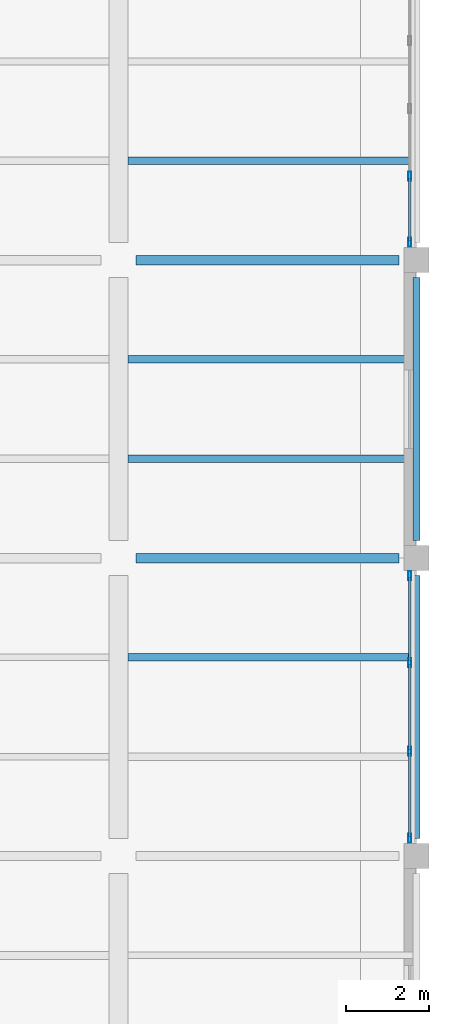
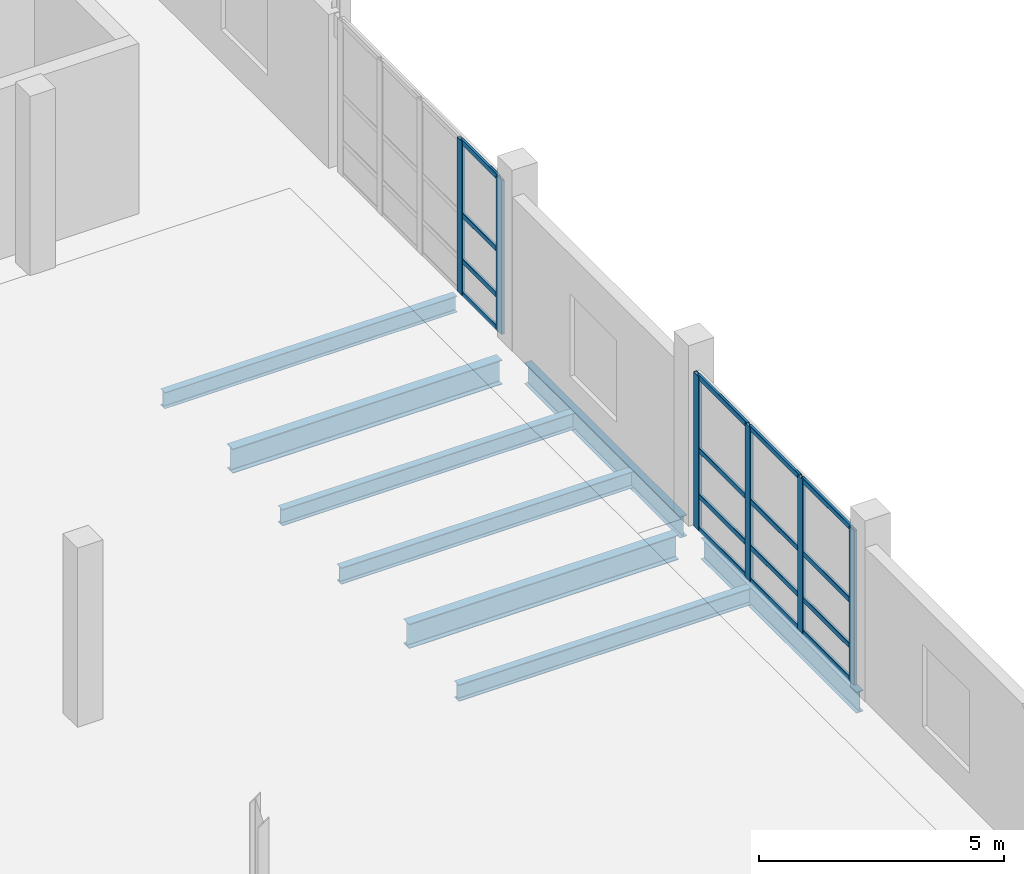
# One storey, part 67 of 123: 22 members, 8 beams, 2 elements without a shape of their own.
"""IFC4 building model written with IfcOpenShell, lengths in metres."""

import ifcopenshell
import ifcopenshell.guid

model = None  # the IFC model being written
_history = None  # IfcOwnerHistory: only IFC2X3 demands one
_inside = {}  # id of a spatial element -> (the spatial element, [elements in it])
_under = {}  # id of a project, library or spatial element -> (it, [spatial elements below it])
_declared = {}  # id of a project -> (the project, [libraries it declares])
_typed = {}  # id of a type object -> (the type object, [elements of that type])
_made_of = {}  # id of a material, layer set ... -> (it, [elements and type objects made of it])


def new_model(schema):
    """Start an empty IFC model of exactly this schema.

    Asked for "IFC4X3", IfcOpenShell would pick the latest addendum, in which some entities
    have other attributes; the version numbers below select the first issue.
    IFC2X3 requires an IfcOwnerHistory on every rooted entity: one is made here for all.
    """
    global model, _history
    if schema == "IFC4X3":
        model = ifcopenshell.file(schema_version=(4, 3, 0, 0))
    else:
        model = ifcopenshell.file(schema=schema)
    _inside.clear()
    _under.clear()
    _declared.clear()
    _typed.clear()
    _made_of.clear()
    _history = None
    if model.schema == "IFC2X3":
        org = make("IfcOrganization", Name="unknown")
        user = make(
            "IfcPersonAndOrganization",
            ThePerson=make("IfcPerson", FamilyName="unknown"),
            TheOrganization=org,
        )
        app = make(
            "IfcApplication",
            ApplicationDeveloper=org,
            Version="unknown",
            ApplicationFullName="unknown",
            ApplicationIdentifier="unknown",
        )
        _history = make(
            "IfcOwnerHistory",
            OwningUser=user,
            OwningApplication=app,
            ChangeAction="ADDED",
            CreationDate=0,
        )
    return model


def make(cls, **values):
    """One entity of the class cls with the attributes given. An attribute that is None is left unset."""
    return model.create_entity(
        cls, **{name: value for name, value in values.items() if value is not None}
    )


def rooted(cls, **values):
    """An entity with a GlobalId (a new one), such as an element, a storey or a relation."""
    return make(cls, GlobalId=ifcopenshell.guid.new(), OwnerHistory=_history, **values)


def si_unit(unit_type, name, prefix=None):
    """IfcSIUnit, for example si_unit("LENGTHUNIT", "METRE", prefix="MILLI")."""
    return make("IfcSIUnit", UnitType=unit_type, Prefix=prefix, Name=name)


def assignment(units):
    """IfcUnitAssignment: the units of a project."""
    return None if units is None else make("IfcUnitAssignment", Units=units)


def point(xyz):
    """IfcCartesianPoint."""
    return None if xyz is None else make("IfcCartesianPoint", Coordinates=xyz)


def direction(xyz):
    """IfcDirection."""
    return None if xyz is None else make("IfcDirection", DirectionRatios=xyz)


def frame(location, z_axis=None, x_axis=None):
    """IfcAxis2Placement3D, a coordinate frame: its origin and axes. An axis left out is left unset."""
    return make(
        "IfcAxis2Placement3D",
        Location=point(location),
        Axis=direction(z_axis),
        RefDirection=direction(x_axis),
    )


def frame_2d(location, x_axis=None):
    """IfcAxis2Placement2D, a coordinate frame in the plane: its origin and x axis."""
    return make(
        "IfcAxis2Placement2D", Location=point(location), RefDirection=direction(x_axis)
    )


def origin():
    """The frame at (0, 0, 0) with its axes left unset."""
    return frame((0.0, 0.0, 0.0))


def origin_2d():
    """The frame at (0, 0) in the plane with its x axis left unset."""
    return frame_2d((0.0, 0.0))


def place(relative_to, where):
    """IfcLocalPlacement: puts the frame where relative to a parent placement (None: the world)."""
    return make(
        "IfcLocalPlacement", PlacementRelTo=relative_to, RelativePlacement=where
    )


def context(
    kind, dimensions, precision=None, world=None, true_north=None, identifier=None
):
    """IfcGeometricRepresentationContext, for example the 3D "Model" context."""
    return make(
        "IfcGeometricRepresentationContext",
        ContextIdentifier=identifier,
        ContextType=kind,
        CoordinateSpaceDimension=dimensions,
        Precision=precision,
        WorldCoordinateSystem=world,
        TrueNorth=true_north,
    )


def subcontext(parent, identifier, kind, view, scale=None):
    """IfcGeometricRepresentationSubContext, for example "Body" below "Model"."""
    return make(
        "IfcGeometricRepresentationSubContext",
        ContextIdentifier=identifier,
        ContextType=kind,
        ParentContext=parent,
        TargetScale=scale,
        TargetView=view,
    )


def project(units=None, contexts=None):
    """IfcProject with its units and contexts."""
    return rooted(
        "IfcProject",
        Name="project",
        RepresentationContexts=contexts,
        UnitsInContext=assignment(units),
    )


def spatial(cls, under=None, at=None, **own):
    """A site, building, storey or space (cls), placed at a placement, below another one or the project."""
    s = rooted(cls, ObjectPlacement=at, **own)
    if under is not None:
        _under.setdefault(under.id(), (under, []))[1].append(s)
    return s


def profile(cls, at=None, kind="AREA", **sizes):
    """A parametric profile (cls). Its sizes go by their IFC names, for example OverallWidth=200.0."""
    return make(cls, ProfileType=kind, Position=at, **sizes)


def hollow_rectangle(**sizes):
    """IfcRectangleHollowProfileDef."""
    return profile("IfcRectangleHollowProfileDef", **sizes)


def i_section(**sizes):
    """IfcIShapeProfileDef."""
    return profile("IfcIShapeProfileDef", **sizes)


def extrude(swept, where, along, depth):
    """IfcExtrudedAreaSolid: the profile swept, set in the frame where, extruded along a direction by depth."""
    return make(
        "IfcExtrudedAreaSolid",
        SweptArea=swept,
        Position=where,
        ExtrudedDirection=direction(along),
        Depth=depth,
    )


def shape(context_of_items, identifier, shape_type, items):
    """IfcShapeRepresentation: the items that make up one representation, for example the "Body"."""
    return make(
        "IfcShapeRepresentation",
        ContextOfItems=context_of_items,
        RepresentationIdentifier=identifier,
        RepresentationType=shape_type,
        Items=items,
    )


def material(Name=None, Category=None):
    """IfcMaterial."""
    return make("IfcMaterial", Name=Name, Category=Category)


def material_profile(
    of_material, cross_section, Name=None, Category=None, Priority=None
):
    """IfcMaterialProfile: a cross section and its material."""
    return make(
        "IfcMaterialProfile",
        Name=Name,
        Material=of_material,
        Profile=cross_section,
        Priority=Priority,
        Category=Category,
    )


def profile_set(profiles, Name=None, composite=None):
    """IfcMaterialProfileSet."""
    return make(
        "IfcMaterialProfileSet",
        Name=Name,
        MaterialProfiles=profiles,
        CompositeProfile=composite,
    )


def made_of(thing, what):
    """Note that an element or type object is made of a material, layer set ...; save() writes the relation."""
    if what is not None:
        _made_of.setdefault(what.id(), (what, []))[1].append(thing)
    return thing


def type_object(cls, material=None, **own):
    """A type object (cls), such as IfcWallType, which elements share."""
    return made_of(rooted(cls, **own), material)


def element(
    cls,
    number,
    at=None,
    inside=None,
    cuts=None,
    type_object=None,
    material=None,
    context=None,
    identifier="Body",
    shape_type=None,
    held_by="IfcProductDefinitionShape",
    body=None,
    shapes=None,
    **own,
):
    """One element of the class cls, such as IfcWall. Its Tag is "e" and its number.

    at: its placement. inside: the storey or other place that contains it. cuts: it is an
    opening in that element (IfcRelVoidsElement). A single representation is given by context,
    identifier, shape_type and body (its items); several are given by shapes. held_by: the class
    of the entity that holds the representations. save() writes the other relations.
    """
    e = rooted(cls, Tag="e%d" % number, ObjectPlacement=at, **own)
    if body is not None:
        shapes = [shape(context, identifier, shape_type, body)]
    if shapes is not None:
        e.Representation = make(held_by, Representations=shapes)
    if inside is not None:
        _inside.setdefault(inside.id(), (inside, []))[1].append(e)
    if cuts is not None:
        rooted(
            "IfcRelVoidsElement", RelatingBuildingElement=cuts, RelatedOpeningElement=e
        )
    if type_object is not None:
        _typed.setdefault(type_object.id(), (type_object, []))[1].append(e)
    return made_of(e, material)


def aggregate(whole, parts):
    """IfcRelAggregates: a whole, such as a stair, and the parts it consists of."""
    return rooted("IfcRelAggregates", RelatingObject=whole, RelatedObjects=parts)


def save(model, path):
    """Write the relations noted so far, then the file.

    IfcRelAggregates (storeys below a building ...), IfcRelContainedInSpatialStructure (elements
    in a storey), IfcRelDefinesByType, IfcRelAssociatesMaterial and IfcRelDeclares: one each for
    every whole, place, type object, material and project.
    """
    for whole, parts in _under.values():
        aggregate(whole, parts)
    for where, things in _inside.values():
        rooted(
            "IfcRelContainedInSpatialStructure",
            RelatedElements=things,
            RelatingStructure=where,
        )
    for kind, things in _typed.values():
        rooted("IfcRelDefinesByType", RelatedObjects=things, RelatingType=kind)
    for what, things in _made_of.values():
        rooted("IfcRelAssociatesMaterial", RelatedObjects=things, RelatingMaterial=what)
    for by, libraries in _declared.values():
        rooted("IfcRelDeclares", RelatingContext=by, RelatedDefinitions=libraries)
    model.write(path)


model = new_model("IFC4")

# Units and contexts
model_context = context("Model", 3, precision=1e-05, world=origin(), true_north=direction((0.0, 1.0)))
body_context = subcontext(model_context, "Body", "Model", "MODEL_VIEW")
ifc_project = project(units=[si_unit("LENGTHUNIT", "METRE"), si_unit("AREAUNIT", "SQUARE_METRE"), si_unit("VOLUMEUNIT", "CUBIC_METRE"), si_unit("PLANEANGLEUNIT", "RADIAN"), si_unit("MASSUNIT", "GRAM", prefix="KILO")], contexts=[model_context])

# Site, building, storey
site_placement = place(None, origin())
site = spatial("IfcSite", under=ifc_project, at=site_placement, CompositionType="ELEMENT")
building_placement = place(site_placement, origin())
building = spatial("IfcBuilding", under=site, at=building_placement, Name="Kalmorath City Hall", CompositionType="ELEMENT")
storey_placement = place(building_placement, frame((0.0, 0.0, 10.199951171875)))
storey = spatial("IfcBuildingStorey", under=building, at=storey_placement, Name="L02", CompositionType="ELEMENT", Elevation=10.199951171875)

# Curtain wall, members
ifc_material_1 = material(Name="Anodised aluminium and laminated glass", Category="aluminium")
curtain_wall_type_1 = type_object("IfcCurtainWallType", Name="Unitised hurricane curtain wall 6544x3835 M1850", PredefinedType="NOTDEFINED", material=ifc_material_1)
curtain_wall_1_placement = place(storey_placement, origin())
curtain_wall_1 = element("IfcCurtainWall", 1, at=curtain_wall_1_placement, inside=storey, type_object=curtain_wall_type_1, Name="L02 curtain wall CW-65X38M18 #118", PredefinedType="NOTDEFINED")
ifc_material_2 = material(Name="Anodised aluminium framing", Category="aluminium")
ifc_material_profile_1 = material_profile(ifc_material_2, hollow_rectangle(XDim=0.06005859375, YDim=0.1298828125, WallThickness=0.00341796875, InnerFilletRadius=0.00341796875, OuterFilletRadius=0.007080078125, at=origin_2d()), Name="ALU-TRN-130X60X3.5")
ifc_profile_set_1 = profile_set([ifc_material_profile_1], Name="Anodised aluminium framing")
member_type_1 = type_object("IfcMemberType", Name="Curtain-wall courtyard transom 130x60", PredefinedType="USERDEFINED", material=ifc_profile_set_1)
member_1_placement = place(storey_placement, frame((165.43994140625, 81.1884765625, 0.030029296875), z_axis=(0.0, -1.0, 0.0), x_axis=(1.0, 0.0, 0.0)))
member_1 = element("IfcMember", 2, at=member_1_placement, type_object=member_type_1, Name="CW-65X38M18 transom 4.1", ObjectType="TRANSOM", PredefinedType="USERDEFINED", context=body_context, shape_type="SweptSolid", body=[
    extrude(hollow_rectangle(XDim=0.06005859375, YDim=0.1298828125, WallThickness=0.00341796875, InnerFilletRadius=0.00341796875, OuterFilletRadius=0.007080078125, at=origin_2d()), origin(), (0.0, 0.0, 1.0), 1.5234375),
])
member_2_placement = place(storey_placement, frame((165.43994140625, 81.1884765625, 0.85009765625), z_axis=(0.0, -1.0, 0.0), x_axis=(1.0, 0.0, 0.0)))
member_2 = element("IfcMember", 3, at=member_2_placement, type_object=member_type_1, Name="CW-65X38M18 transom 4.2", ObjectType="TRANSOM", PredefinedType="USERDEFINED", context=body_context, shape_type="SweptSolid", body=[
    extrude(hollow_rectangle(XDim=0.06005859375, YDim=0.1298828125, WallThickness=0.00341796875, InnerFilletRadius=0.00341796875, OuterFilletRadius=0.007080078125, at=origin_2d()), origin(), (0.0, 0.0, 1.0), 1.5234375),
])
member_3_placement = place(storey_placement, frame((165.43994140625, 81.1884765625, 1.994140625), z_axis=(0.0, -1.0, 0.0), x_axis=(1.0, 0.0, 0.0)))
member_3 = element("IfcMember", 4, at=member_3_placement, type_object=member_type_1, Name="CW-65X38M18 transom 4.3", ObjectType="TRANSOM", PredefinedType="USERDEFINED", context=body_context, shape_type="SweptSolid", body=[
    extrude(hollow_rectangle(XDim=0.06005859375, YDim=0.1298828125, WallThickness=0.00341796875, InnerFilletRadius=0.00341796875, OuterFilletRadius=0.007080078125, at=origin_2d()), origin(), (0.0, 0.0, 1.0), 1.5234375),
])
member_4_placement = place(storey_placement, frame((165.43994140625, 81.1884765625, 3.804931640625), z_axis=(0.0, -1.0, 0.0), x_axis=(1.0, 0.0, 0.0)))
member_4 = element("IfcMember", 5, at=member_4_placement, type_object=member_type_1, Name="CW-65X38M18 transom 4.4", ObjectType="TRANSOM", PredefinedType="USERDEFINED", context=body_context, shape_type="SweptSolid", body=[
    extrude(hollow_rectangle(XDim=0.06005859375, YDim=0.1298828125, WallThickness=0.00341796875, InnerFilletRadius=0.00341796875, OuterFilletRadius=0.007080078125, at=origin_2d()), origin(), (0.0, 0.0, 1.0), 1.5234375),
])

ifc_material_3 = material(Name="Anodised aluminium and laminated glass", Category="aluminium")
curtain_wall_type_2 = type_object("IfcCurtainWallType", Name="Unitised hurricane curtain wall 6420x3835 M1850", PredefinedType="NOTDEFINED", material=ifc_material_3)
curtain_wall_2_placement = place(storey_placement, origin())
curtain_wall_2 = element("IfcCurtainWall", 6, at=curtain_wall_2_placement, inside=storey, type_object=curtain_wall_type_2, Name="L02 curtain wall CW-64X38M18 #119", PredefinedType="NOTDEFINED")
member_5_placement = place(storey_placement, frame((165.43994140625, 71.534912109375, 0.030029296875), z_axis=(0.0, -1.0, 0.0), x_axis=(1.0, 0.0, 0.0)))
member_5 = element("IfcMember", 7, at=member_5_placement, type_object=member_type_1, Name="CW-64X38M18 transom 1.1", ObjectType="TRANSOM", PredefinedType="USERDEFINED", context=body_context, shape_type="SweptSolid", body=[
    extrude(hollow_rectangle(XDim=0.06005859375, YDim=0.1298828125, WallThickness=0.00341796875, InnerFilletRadius=0.00341796875, OuterFilletRadius=0.007080078125, at=origin_2d()), origin(), (0.0, 0.0, 1.0), 2.02734375),
])
member_6_placement = place(storey_placement, frame((165.43994140625, 71.534912109375, 0.85009765625), z_axis=(0.0, -1.0, 0.0), x_axis=(1.0, 0.0, 0.0)))
member_6 = element("IfcMember", 8, at=member_6_placement, type_object=member_type_1, Name="CW-64X38M18 transom 1.2", ObjectType="TRANSOM", PredefinedType="USERDEFINED", context=body_context, shape_type="SweptSolid", body=[
    extrude(hollow_rectangle(XDim=0.06005859375, YDim=0.1298828125, WallThickness=0.00341796875, InnerFilletRadius=0.00341796875, OuterFilletRadius=0.007080078125, at=origin_2d()), origin(), (0.0, 0.0, 1.0), 2.02734375),
])
member_7_placement = place(storey_placement, frame((165.43994140625, 71.534912109375, 1.994140625), z_axis=(0.0, -1.0, 0.0), x_axis=(1.0, 0.0, 0.0)))
member_7 = element("IfcMember", 9, at=member_7_placement, type_object=member_type_1, Name="CW-64X38M18 transom 1.3", ObjectType="TRANSOM", PredefinedType="USERDEFINED", context=body_context, shape_type="SweptSolid", body=[
    extrude(hollow_rectangle(XDim=0.06005859375, YDim=0.1298828125, WallThickness=0.00341796875, InnerFilletRadius=0.00341796875, OuterFilletRadius=0.007080078125, at=origin_2d()), origin(), (0.0, 0.0, 1.0), 2.02734375),
])
member_8_placement = place(storey_placement, frame((165.43994140625, 71.534912109375, 3.804931640625), z_axis=(0.0, -1.0, 0.0), x_axis=(1.0, 0.0, 0.0)))
member_8 = element("IfcMember", 10, at=member_8_placement, type_object=member_type_1, Name="CW-64X38M18 transom 1.4", ObjectType="TRANSOM", PredefinedType="USERDEFINED", context=body_context, shape_type="SweptSolid", body=[
    extrude(hollow_rectangle(XDim=0.06005859375, YDim=0.1298828125, WallThickness=0.00341796875, InnerFilletRadius=0.00341796875, OuterFilletRadius=0.007080078125, at=origin_2d()), origin(), (0.0, 0.0, 1.0), 2.02734375),
])
member_9_placement = place(storey_placement, frame((165.43994140625, 69.4326171875, 0.030029296875), z_axis=(0.0, -1.0, 0.0), x_axis=(1.0, 0.0, 0.0)))
member_9 = element("IfcMember", 11, at=member_9_placement, type_object=member_type_1, Name="CW-64X38M18 transom 2.1", ObjectType="TRANSOM", PredefinedType="USERDEFINED", context=body_context, shape_type="SweptSolid", body=[
    extrude(hollow_rectangle(XDim=0.06005859375, YDim=0.1298828125, WallThickness=0.00341796875, InnerFilletRadius=0.00341796875, OuterFilletRadius=0.007080078125, at=origin_2d()), origin(), (0.0, 0.0, 1.0), 2.065185546875),
])
member_10_placement = place(storey_placement, frame((165.43994140625, 69.4326171875, 0.85009765625), z_axis=(0.0, -1.0, 0.0), x_axis=(1.0, 0.0, 0.0)))
member_10 = element("IfcMember", 12, at=member_10_placement, type_object=member_type_1, Name="CW-64X38M18 transom 2.2", ObjectType="TRANSOM", PredefinedType="USERDEFINED", context=body_context, shape_type="SweptSolid", body=[
    extrude(hollow_rectangle(XDim=0.06005859375, YDim=0.1298828125, WallThickness=0.00341796875, InnerFilletRadius=0.00341796875, OuterFilletRadius=0.007080078125, at=origin_2d()), origin(), (0.0, 0.0, 1.0), 2.065185546875),
])
member_11_placement = place(storey_placement, frame((165.43994140625, 69.4326171875, 1.994140625), z_axis=(0.0, -1.0, 0.0), x_axis=(1.0, 0.0, 0.0)))
member_11 = element("IfcMember", 13, at=member_11_placement, type_object=member_type_1, Name="CW-64X38M18 transom 2.3", ObjectType="TRANSOM", PredefinedType="USERDEFINED", context=body_context, shape_type="SweptSolid", body=[
    extrude(hollow_rectangle(XDim=0.06005859375, YDim=0.1298828125, WallThickness=0.00341796875, InnerFilletRadius=0.00341796875, OuterFilletRadius=0.007080078125, at=origin_2d()), origin(), (0.0, 0.0, 1.0), 2.065185546875),
])
member_12_placement = place(storey_placement, frame((165.43994140625, 69.4326171875, 3.804931640625), z_axis=(0.0, -1.0, 0.0), x_axis=(1.0, 0.0, 0.0)))
member_12 = element("IfcMember", 14, at=member_12_placement, type_object=member_type_1, Name="CW-64X38M18 transom 2.4", ObjectType="TRANSOM", PredefinedType="USERDEFINED", context=body_context, shape_type="SweptSolid", body=[
    extrude(hollow_rectangle(XDim=0.06005859375, YDim=0.1298828125, WallThickness=0.00341796875, InnerFilletRadius=0.00341796875, OuterFilletRadius=0.007080078125, at=origin_2d()), origin(), (0.0, 0.0, 1.0), 2.065185546875),
])
member_13_placement = place(storey_placement, frame((165.43994140625, 67.29248046875, 0.030029296875), z_axis=(0.0, -1.0, 0.0), x_axis=(1.0, 0.0, 0.0)))
member_13 = element("IfcMember", 15, at=member_13_placement, type_object=member_type_1, Name="CW-64X38M18 transom 3.1", ObjectType="TRANSOM", PredefinedType="USERDEFINED", context=body_context, shape_type="SweptSolid", body=[
    extrude(hollow_rectangle(XDim=0.06005859375, YDim=0.1298828125, WallThickness=0.00341796875, InnerFilletRadius=0.00341796875, OuterFilletRadius=0.007080078125, at=origin_2d()), origin(), (0.0, 0.0, 1.0), 2.027587890625),
])
member_14_placement = place(storey_placement, frame((165.43994140625, 67.29248046875, 0.85009765625), z_axis=(0.0, -1.0, 0.0), x_axis=(1.0, 0.0, 0.0)))
member_14 = element("IfcMember", 16, at=member_14_placement, type_object=member_type_1, Name="CW-64X38M18 transom 3.2", ObjectType="TRANSOM", PredefinedType="USERDEFINED", context=body_context, shape_type="SweptSolid", body=[
    extrude(hollow_rectangle(XDim=0.06005859375, YDim=0.1298828125, WallThickness=0.00341796875, InnerFilletRadius=0.00341796875, OuterFilletRadius=0.007080078125, at=origin_2d()), origin(), (0.0, 0.0, 1.0), 2.027587890625),
])
member_15_placement = place(storey_placement, frame((165.43994140625, 67.29248046875, 1.994140625), z_axis=(0.0, -1.0, 0.0), x_axis=(1.0, 0.0, 0.0)))
member_15 = element("IfcMember", 17, at=member_15_placement, type_object=member_type_1, Name="CW-64X38M18 transom 3.3", ObjectType="TRANSOM", PredefinedType="USERDEFINED", context=body_context, shape_type="SweptSolid", body=[
    extrude(hollow_rectangle(XDim=0.06005859375, YDim=0.1298828125, WallThickness=0.00341796875, InnerFilletRadius=0.00341796875, OuterFilletRadius=0.007080078125, at=origin_2d()), origin(), (0.0, 0.0, 1.0), 2.027587890625),
])
member_16_placement = place(storey_placement, frame((165.43994140625, 67.29248046875, 3.804931640625), z_axis=(0.0, -1.0, 0.0), x_axis=(1.0, 0.0, 0.0)))
member_16 = element("IfcMember", 18, at=member_16_placement, type_object=member_type_1, Name="CW-64X38M18 transom 3.4", ObjectType="TRANSOM", PredefinedType="USERDEFINED", context=body_context, shape_type="SweptSolid", body=[
    extrude(hollow_rectangle(XDim=0.06005859375, YDim=0.1298828125, WallThickness=0.00341796875, InnerFilletRadius=0.00341796875, OuterFilletRadius=0.007080078125, at=origin_2d()), origin(), (0.0, 0.0, 1.0), 2.027587890625),
])

# Member
ifc_material_4 = material(Name="Anodised aluminium framing", Category="aluminium")
ifc_material_profile_2 = material_profile(ifc_material_4, hollow_rectangle(XDim=0.074951171875, YDim=0.219970703125, WallThickness=0.00390625, InnerFilletRadius=0.00390625, OuterFilletRadius=0.008056640625, at=origin_2d()), Name="ALU-MUL-220X75X4")
ifc_profile_set_2 = profile_set([ifc_material_profile_2], Name="Anodised aluminium framing")
member_type_2 = type_object("IfcMemberType", Name="Curtain-wall primary mullion 220x75", PredefinedType="MULLION", material=ifc_profile_set_2)
member_17_placement = place(storey_placement, frame((165.43994140625, 81.225830078125, 0.0), z_axis=(0.0, 0.0, 1.0), x_axis=(1.0, 0.0, 0.0)))
member_17 = element("IfcMember", 19, at=member_17_placement, type_object=member_type_2, Name="CW-65X38M18 mullion 4", PredefinedType="MULLION", context=body_context, shape_type="SweptSolid", body=[
    extrude(hollow_rectangle(XDim=0.074951171875, YDim=0.219970703125, WallThickness=0.00390625, InnerFilletRadius=0.00390625, OuterFilletRadius=0.008056640625, at=origin_2d()), origin(), (0.0, 0.0, 1.0), 3.8349609375),
])

member_18_placement = place(storey_placement, frame((165.43994140625, 79.62744140625, 0.0), z_axis=(0.0, 0.0, 1.0), x_axis=(1.0, 0.0, 0.0)))
member_18 = element("IfcMember", 20, at=member_18_placement, type_object=member_type_2, Name="CW-65X38M18 mullion 5", PredefinedType="MULLION", context=body_context, shape_type="SweptSolid", body=[
    extrude(hollow_rectangle(XDim=0.074951171875, YDim=0.219970703125, WallThickness=0.00390625, InnerFilletRadius=0.00390625, OuterFilletRadius=0.008056640625, at=origin_2d()), origin(), (0.0, 0.0, 1.0), 3.8349609375),
])

aggregate(curtain_wall_1, [member_17, member_18, member_1, member_2, member_3, member_4])

member_19_placement = place(storey_placement, frame((165.43994140625, 71.572509765625, 0.0), z_axis=(0.0, 0.0, 1.0), x_axis=(1.0, 0.0, 0.0)))
member_19 = element("IfcMember", 21, at=member_19_placement, type_object=member_type_2, Name="CW-64X38M18 mullion 1", PredefinedType="MULLION", context=body_context, shape_type="SweptSolid", body=[
    extrude(hollow_rectangle(XDim=0.074951171875, YDim=0.219970703125, WallThickness=0.00390625, InnerFilletRadius=0.00390625, OuterFilletRadius=0.008056640625, at=origin_2d()), origin(), (0.0, 0.0, 1.0), 3.8349609375),
])

member_20_placement = place(storey_placement, frame((165.43994140625, 69.469970703125, 0.0), z_axis=(0.0, 0.0, 1.0), x_axis=(1.0, 0.0, 0.0)))
member_20 = element("IfcMember", 22, at=member_20_placement, type_object=member_type_2, Name="CW-64X38M18 mullion 2", PredefinedType="MULLION", context=body_context, shape_type="SweptSolid", body=[
    extrude(hollow_rectangle(XDim=0.074951171875, YDim=0.219970703125, WallThickness=0.00390625, InnerFilletRadius=0.00390625, OuterFilletRadius=0.008056640625, at=origin_2d()), origin(), (0.0, 0.0, 1.0), 3.8349609375),
])

member_21_placement = place(storey_placement, frame((165.43994140625, 67.330078125, 0.0), z_axis=(0.0, 0.0, 1.0), x_axis=(1.0, 0.0, 0.0)))
member_21 = element("IfcMember", 23, at=member_21_placement, type_object=member_type_2, Name="CW-64X38M18 mullion 3", PredefinedType="MULLION", context=body_context, shape_type="SweptSolid", body=[
    extrude(hollow_rectangle(XDim=0.074951171875, YDim=0.219970703125, WallThickness=0.00390625, InnerFilletRadius=0.00390625, OuterFilletRadius=0.008056640625, at=origin_2d()), origin(), (0.0, 0.0, 1.0), 3.8349609375),
])

member_22_placement = place(storey_placement, frame((165.43994140625, 65.2275390625, 0.0), z_axis=(0.0, 0.0, 1.0), x_axis=(1.0, 0.0, 0.0)))
member_22 = element("IfcMember", 24, at=member_22_placement, type_object=member_type_2, Name="CW-64X38M18 mullion 4", PredefinedType="MULLION", context=body_context, shape_type="SweptSolid", body=[
    extrude(hollow_rectangle(XDim=0.074951171875, YDim=0.219970703125, WallThickness=0.00390625, InnerFilletRadius=0.00390625, OuterFilletRadius=0.008056640625, at=origin_2d()), origin(), (0.0, 0.0, 1.0), 3.8349609375),
])

aggregate(curtain_wall_2, [member_19, member_20, member_21, member_22, member_5, member_6, member_7, member_8, member_9, member_10, member_11, member_12, member_13, member_14, member_15, member_16])

# Beams
ifc_material_5 = material(Name="Steel ASTM A992 Grade 50", Category="steel")
ifc_material_profile_3 = material_profile(ifc_material_5, i_section(OverallWidth=0.177001953125, OverallDepth=0.403076171875, WebThickness=0.007568359375, FlangeThickness=0.010986328125, FilletRadius=0.012939453125, at=origin_2d()), Name="W16X36")
ifc_profile_set_3 = profile_set([ifc_material_profile_3], Name="Steel ASTM A992 Grade 50")
beam_type_1 = type_object("IfcBeamType", Name="Steel composite joist W16X36", PredefinedType="JOIST", material=ifc_profile_set_3)
beam_1_placement = place(storey_placement, frame((158.625, 81.60009765625, -0.4853515625), z_axis=(1.0, 0.0, 0.0), x_axis=(0.0, 1.0, 0.0)))
element("IfcBeam", 25, at=beam_1_placement, inside=storey, type_object=beam_type_1, Name="L02 joist SJ7 23.12.1", PredefinedType="JOIST", context=body_context, shape_type="SweptSolid", body=[
    extrude(i_section(OverallWidth=0.177001953125, OverallDepth=0.403076171875, WebThickness=0.007568359375, FlangeThickness=0.010986328125, FilletRadius=0.012939453125, at=origin_2d()), origin(), (0.0, 0.0, 1.0), 6.892578125),
])
ifc_material_6 = material(Name="Steel ASTM A992 Grade 50", Category="steel")
ifc_material_profile_4 = material_profile(ifc_material_6, i_section(OverallWidth=0.178955078125, OverallDepth=0.409912109375, WebThickness=0.0087890625, FlangeThickness=0.014404296875, FilletRadius=0.012939453125, at=origin_2d()), Name="W16X45")
ifc_profile_set_4 = profile_set([ifc_material_profile_4], Name="Steel ASTM A992 Grade 50")
beam_type_2 = type_object("IfcBeamType", Name="Steel composite joist W16X45", PredefinedType="JOIST", material=ifc_profile_set_4)
for number, where, z_axis, x_axis, name in (
    (26, (158.625, 74.39990234375, -0.489013671875), (1.0, 0.0, 0.0), (0.0, 1.0, 0.0), "L02 joist SJ6 23.11.1"),
    (27, (158.625, 76.800048828125, -0.489013671875), (1.0, 0.0, 0.0), (0.0, 1.0, 0.0), "L02 joist SJ6 23.11.2"),
):
    element("IfcBeam", number, at=place(storey_placement, frame(where, z_axis=z_axis, x_axis=x_axis)), inside=storey, type_object=beam_type_2, Name=name, PredefinedType="JOIST", context=body_context, shape_type="SweptSolid", body=[
        extrude(i_section(OverallWidth=0.178955078125, OverallDepth=0.409912109375, WebThickness=0.0087890625, FlangeThickness=0.014404296875, FilletRadius=0.012939453125, at=origin_2d()), origin(), (0.0, 0.0, 1.0), 6.892578125),
    ])
ifc_material_7 = material(Name="Steel ASTM A992 Grade 50", Category="steel")
ifc_material_profile_5 = material_profile(ifc_material_7, i_section(OverallWidth=0.180908203125, OverallDepth=0.4169921875, WebThickness=0.010986328125, FlangeThickness=0.018310546875, FilletRadius=0.012939453125, at=origin_2d()), Name="W16X57")
ifc_profile_set_5 = profile_set([ifc_material_profile_5], Name="Steel ASTM A992 Grade 50")
beam_type_3 = type_object("IfcBeamType", Name="Steel composite joist W16X57", PredefinedType="JOIST", material=ifc_profile_set_5)
beam_2_placement = place(storey_placement, frame((158.625, 69.60009765625, -0.492431640625), z_axis=(1.0, 0.0, 0.0), x_axis=(0.0, 1.0, 0.0)))
element("IfcBeam", 28, at=beam_2_placement, inside=storey, type_object=beam_type_3, Name="L02 joist SJ5 23.10.2", PredefinedType="JOIST", context=body_context, shape_type="SweptSolid", body=[
    extrude(i_section(OverallWidth=0.180908203125, OverallDepth=0.4169921875, WebThickness=0.010986328125, FlangeThickness=0.018310546875, FilletRadius=0.012939453125, at=origin_2d()), origin(), (0.0, 0.0, 1.0), 6.892578125),
])
ifc_material_8 = material(Name="Steel ASTM A992 Grade 50", Category="steel")
ifc_material_profile_6 = material_profile(ifc_material_8, i_section(OverallWidth=0.22900390625, OverallDepth=0.612060546875, WebThickness=0.011962890625, FlangeThickness=0.01953125, FilletRadius=0.01611328125, at=origin_2d()), Name="W24X84")
ifc_profile_set_6 = profile_set([ifc_material_profile_6], Name="Steel ASTM A992 Grade 50")
beam_type_4 = type_object("IfcBeamType", Name="Steel floor girder W24X84", PredefinedType="BEAM", material=ifc_profile_set_6)
for number, where, z_axis, x_axis, name in (
    (29, (158.824951171875, 72.0, -0.58984375), (1.0, 0.0, 0.0), (0.0, 1.0, 0.0), "L02 girder SG8 X23-24/11"),
    (30, (158.824951171875, 79.199951171875, -0.58984375), (1.0, 0.0, 0.0), (0.0, 1.0, 0.0), "L02 girder SG8 X23-24/12"),
):
    element("IfcBeam", number, at=place(storey_placement, frame(where, z_axis=z_axis, x_axis=x_axis)), inside=storey, type_object=beam_type_4, Name=name, PredefinedType="BEAM", context=body_context, shape_type="SweptSolid", body=[
        extrude(i_section(OverallWidth=0.22900390625, OverallDepth=0.612060546875, WebThickness=0.011962890625, FlangeThickness=0.01953125, FilletRadius=0.01611328125, at=origin_2d()), origin(), (0.0, 0.0, 1.0), 6.35009765625),
    ])
ifc_material_9 = material(Name="Steel ASTM A992 Grade 50", Category="steel")
ifc_material_profile_7 = material_profile(ifc_material_9, i_section(OverallWidth=0.1650390625, OverallDepth=0.52490234375, WebThickness=0.0087890625, FlangeThickness=0.011474609375, FilletRadius=0.014892578125, at=origin_2d()), Name="W21X44")
ifc_profile_set_7 = profile_set([ifc_material_profile_7], Name="Steel ASTM A992 Grade 50")
beam_type_5 = type_object("IfcBeamType", Name="Steel spandrel beam W21X44", PredefinedType="SPANDREL", material=ifc_profile_set_7)
for number, where, z_axis, x_axis, name in (
    (31, (165.60009765625, 65.22509765625, -0.54638671875), (0.0, 1.0, 0.0), (-1.0, 0.0, 0.0), "L02 girder SB4 Y24/10-11"),
    (32, (165.60009765625, 72.425048828125, -0.54638671875), (0.0, 1.0, 0.0), (-1.0, 0.0, 0.0), "L02 girder SB4 Y24/11-12"),
):
    element("IfcBeam", number, at=place(storey_placement, frame(where, z_axis=z_axis, x_axis=x_axis)), inside=storey, type_object=beam_type_5, Name=name, PredefinedType="SPANDREL", context=body_context, shape_type="SweptSolid", body=[
        extrude(i_section(OverallWidth=0.1650390625, OverallDepth=0.52490234375, WebThickness=0.0087890625, FlangeThickness=0.011474609375, FilletRadius=0.014892578125, at=origin_2d()), origin(), (0.0, 0.0, 1.0), 6.349853515625),
    ])

save(model, "model.ifc")
